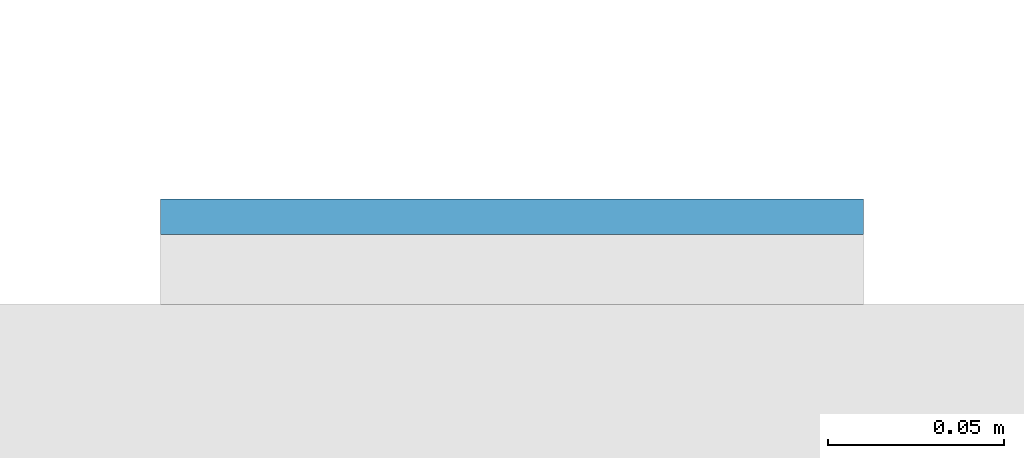
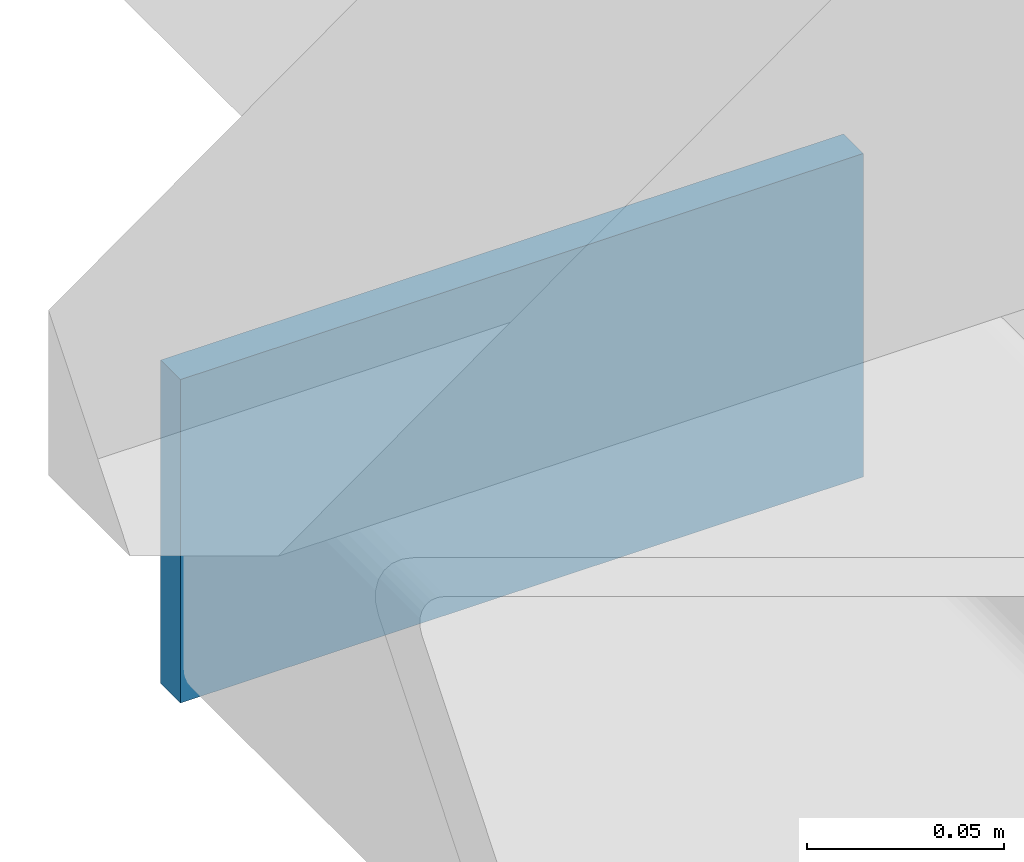
# One storey, part 9 of 20: 1 plate.
"""IFC4 building model written with IfcOpenShell, lengths in metres."""

from ifc_helpers import new_model, si_unit, direction, frame, origin, origin_2d, place, context, subcontext, project, spatial, rectangle, extrude, material, layer, layer_set, type_object, element, save


model = new_model("IFC4")

# Units and contexts
model_context = context("Model", 3, precision=1e-05, world=origin(), true_north=direction((0.0, 1.0)))
body_context = subcontext(model_context, "Body", "Model", "MODEL_VIEW")
ifc_project = project(units=[si_unit("LENGTHUNIT", "METRE"), si_unit("AREAUNIT", "SQUARE_METRE"), si_unit("VOLUMEUNIT", "CUBIC_METRE"), si_unit("PLANEANGLEUNIT", "RADIAN"), si_unit("MASSUNIT", "GRAM", prefix="KILO")], contexts=[model_context])

# Site, building, storey
site_placement = place(None, origin())
site = spatial("IfcSite", under=ifc_project, at=site_placement, CompositionType="ELEMENT")
building_placement = place(site_placement, origin())
building = spatial("IfcBuilding", under=site, at=building_placement, Name="Cleftline Residences", CompositionType="ELEMENT")
storey_placement = place(building_placement, frame((0.0, 0.0, 44.0)))
storey = spatial("IfcBuildingStorey", under=building, at=storey_placement, Name="L10", CompositionType="ELEMENT", Elevation=44.0)

# Plate
ifc_material = material(Name="Steel S355, hot-dip galvanised", Category="steel")
ifc_layer = layer(ifc_material, 0.010009765625)
ifc_layer_set = layer_set([ifc_layer], Name="BAGUETTE CARRIER END PLATE 200X100X10")
plate_type = type_object("IfcPlateType", Name="BAGUETTE CARRIER END PLATE 200X100X10", PredefinedType="USERDEFINED", material=ifc_layer_set)
plate_placement = place(storey_placement, frame((-0.85009765625, 44.304931640625, -0.10009765625), z_axis=(0.0, 0.0, 1.0), x_axis=(-1.0, 0.0, 0.0)))
element("IfcPlate", 1, at=plate_placement, inside=storey, type_object=plate_type, Name="Baguette carrier end plate", ObjectType="BAGUETTE CARRIER END PLATE", PredefinedType="USERDEFINED", context=body_context, shape_type="SweptSolid", body=[
    extrude(rectangle(XDim=0.199951171875, YDim=0.010009765625, at=origin_2d()), origin(), (0.0, 0.0, 1.0), 0.10009765625),
])

save(model, "model.ifc")
